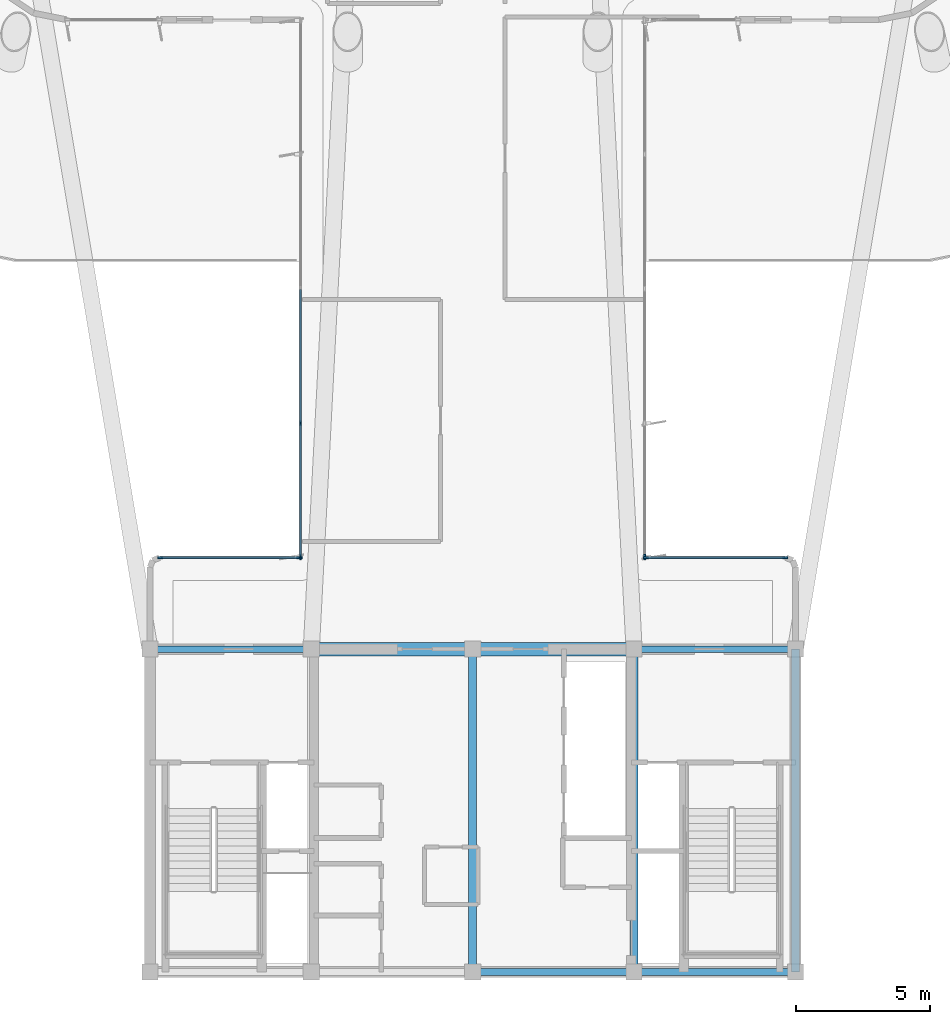
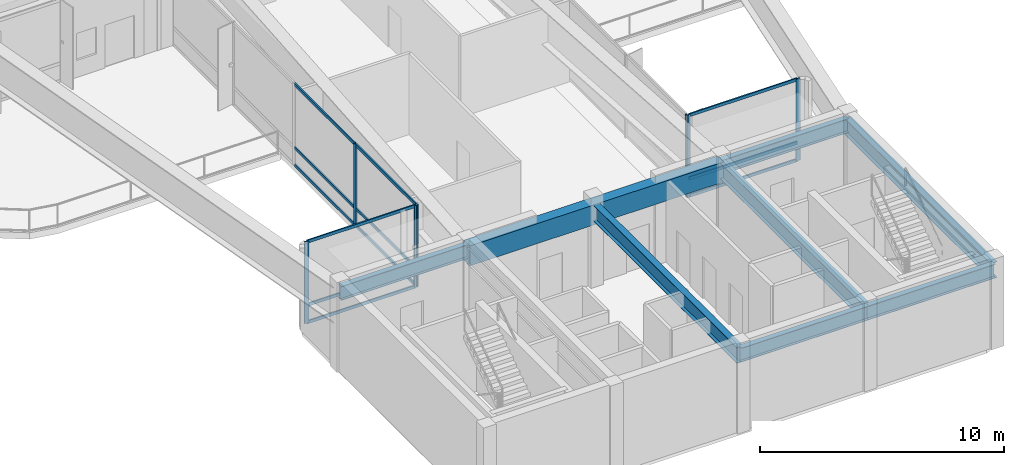
# One storey, part 2 of 16: 19 members, 8 beams, 4 elements without a shape of their own.
"""IFC4 building model written with IfcOpenShell, lengths in metres."""

import ifcopenshell
import ifcopenshell.guid

model = None  # the IFC model being written
_history = None  # IfcOwnerHistory: only IFC2X3 demands one
_inside = {}  # id of a spatial element -> (the spatial element, [elements in it])
_under = {}  # id of a project, library or spatial element -> (it, [spatial elements below it])
_declared = {}  # id of a project -> (the project, [libraries it declares])
_typed = {}  # id of a type object -> (the type object, [elements of that type])
_made_of = {}  # id of a material, layer set ... -> (it, [elements and type objects made of it])


def new_model(schema):
    """Start an empty IFC model of exactly this schema.

    Asked for "IFC4X3", IfcOpenShell would pick the latest addendum, in which some entities
    have other attributes; the version numbers below select the first issue.
    IFC2X3 requires an IfcOwnerHistory on every rooted entity: one is made here for all.
    """
    global model, _history
    if schema == "IFC4X3":
        model = ifcopenshell.file(schema_version=(4, 3, 0, 0))
    else:
        model = ifcopenshell.file(schema=schema)
    _inside.clear()
    _under.clear()
    _declared.clear()
    _typed.clear()
    _made_of.clear()
    _history = None
    if model.schema == "IFC2X3":
        org = make("IfcOrganization", Name="unknown")
        user = make(
            "IfcPersonAndOrganization",
            ThePerson=make("IfcPerson", FamilyName="unknown"),
            TheOrganization=org,
        )
        app = make(
            "IfcApplication",
            ApplicationDeveloper=org,
            Version="unknown",
            ApplicationFullName="unknown",
            ApplicationIdentifier="unknown",
        )
        _history = make(
            "IfcOwnerHistory",
            OwningUser=user,
            OwningApplication=app,
            ChangeAction="ADDED",
            CreationDate=0,
        )
    return model


def make(cls, **values):
    """One entity of the class cls with the attributes given. An attribute that is None is left unset."""
    return model.create_entity(
        cls, **{name: value for name, value in values.items() if value is not None}
    )


def rooted(cls, **values):
    """An entity with a GlobalId (a new one), such as an element, a storey or a relation."""
    return make(cls, GlobalId=ifcopenshell.guid.new(), OwnerHistory=_history, **values)


def si_unit(unit_type, name, prefix=None):
    """IfcSIUnit, for example si_unit("LENGTHUNIT", "METRE", prefix="MILLI")."""
    return make("IfcSIUnit", UnitType=unit_type, Prefix=prefix, Name=name)


def assignment(units):
    """IfcUnitAssignment: the units of a project."""
    return None if units is None else make("IfcUnitAssignment", Units=units)


def point(xyz):
    """IfcCartesianPoint."""
    return None if xyz is None else make("IfcCartesianPoint", Coordinates=xyz)


def direction(xyz):
    """IfcDirection."""
    return None if xyz is None else make("IfcDirection", DirectionRatios=xyz)


def frame(location, z_axis=None, x_axis=None):
    """IfcAxis2Placement3D, a coordinate frame: its origin and axes. An axis left out is left unset."""
    return make(
        "IfcAxis2Placement3D",
        Location=point(location),
        Axis=direction(z_axis),
        RefDirection=direction(x_axis),
    )


def frame_2d(location, x_axis=None):
    """IfcAxis2Placement2D, a coordinate frame in the plane: its origin and x axis."""
    return make(
        "IfcAxis2Placement2D", Location=point(location), RefDirection=direction(x_axis)
    )


def origin():
    """The frame at (0, 0, 0) with its axes left unset."""
    return frame((0.0, 0.0, 0.0))


def origin_2d():
    """The frame at (0, 0) in the plane with its x axis left unset."""
    return frame_2d((0.0, 0.0))


def place(relative_to, where):
    """IfcLocalPlacement: puts the frame where relative to a parent placement (None: the world)."""
    return make(
        "IfcLocalPlacement", PlacementRelTo=relative_to, RelativePlacement=where
    )


def context(
    kind, dimensions, precision=None, world=None, true_north=None, identifier=None
):
    """IfcGeometricRepresentationContext, for example the 3D "Model" context."""
    return make(
        "IfcGeometricRepresentationContext",
        ContextIdentifier=identifier,
        ContextType=kind,
        CoordinateSpaceDimension=dimensions,
        Precision=precision,
        WorldCoordinateSystem=world,
        TrueNorth=true_north,
    )


def subcontext(parent, identifier, kind, view, scale=None):
    """IfcGeometricRepresentationSubContext, for example "Body" below "Model"."""
    return make(
        "IfcGeometricRepresentationSubContext",
        ContextIdentifier=identifier,
        ContextType=kind,
        ParentContext=parent,
        TargetScale=scale,
        TargetView=view,
    )


def project(units=None, contexts=None):
    """IfcProject with its units and contexts."""
    return rooted(
        "IfcProject",
        Name="project",
        RepresentationContexts=contexts,
        UnitsInContext=assignment(units),
    )


def spatial(cls, under=None, at=None, **own):
    """A site, building, storey or space (cls), placed at a placement, below another one or the project."""
    s = rooted(cls, ObjectPlacement=at, **own)
    if under is not None:
        _under.setdefault(under.id(), (under, []))[1].append(s)
    return s


def profile(cls, at=None, kind="AREA", **sizes):
    """A parametric profile (cls). Its sizes go by their IFC names, for example OverallWidth=200.0."""
    return make(cls, ProfileType=kind, Position=at, **sizes)


def rectangle(**sizes):
    """IfcRectangleProfileDef."""
    return profile("IfcRectangleProfileDef", **sizes)


def i_section(**sizes):
    """IfcIShapeProfileDef."""
    return profile("IfcIShapeProfileDef", **sizes)


def extrude(swept, where, along, depth):
    """IfcExtrudedAreaSolid: the profile swept, set in the frame where, extruded along a direction by depth."""
    return make(
        "IfcExtrudedAreaSolid",
        SweptArea=swept,
        Position=where,
        ExtrudedDirection=direction(along),
        Depth=depth,
    )


def shape(context_of_items, identifier, shape_type, items):
    """IfcShapeRepresentation: the items that make up one representation, for example the "Body"."""
    return make(
        "IfcShapeRepresentation",
        ContextOfItems=context_of_items,
        RepresentationIdentifier=identifier,
        RepresentationType=shape_type,
        Items=items,
    )


def source(mapping_origin, context_of_items, identifier, shape_type, items):
    """IfcRepresentationMap: a shape defined once, which mapped items show again and again."""
    return make(
        "IfcRepresentationMap",
        MappingOrigin=mapping_origin,
        MappedRepresentation=shape(context_of_items, identifier, shape_type, items),
    )


def transform(
    local_origin,
    x_axis=None,
    y_axis=None,
    z_axis=None,
    scale=None,
    scale2=None,
    scale3=None,
    uniform=True,
):
    """IfcCartesianTransformationOperator3D, or its non-uniform kind. x_axis, y_axis, z_axis: its Axis1, 2, 3."""
    if uniform:
        return make(
            "IfcCartesianTransformationOperator3D",
            Axis1=direction(x_axis),
            Axis2=direction(y_axis),
            LocalOrigin=point(local_origin),
            Scale=scale,
            Axis3=direction(z_axis),
        )
    return make(
        "IfcCartesianTransformationOperator3DnonUniform",
        Axis1=direction(x_axis),
        Axis2=direction(y_axis),
        LocalOrigin=point(local_origin),
        Scale=scale,
        Axis3=direction(z_axis),
        Scale2=scale2,
        Scale3=scale3,
    )


def mapped(mapping_source, mapping_target):
    """IfcMappedItem: shows the shape of a source again, moved by a transform."""
    return make(
        "IfcMappedItem", MappingSource=mapping_source, MappingTarget=mapping_target
    )


def material(Name=None, Category=None):
    """IfcMaterial."""
    return make("IfcMaterial", Name=Name, Category=Category)


def layer(
    of_material, thickness, ventilated=None, Name=None, Category=None, Priority=None
):
    """IfcMaterialLayer: one layer of a wall or slab, of a material (None: an air gap)."""
    return make(
        "IfcMaterialLayer",
        Material=of_material,
        LayerThickness=thickness,
        IsVentilated=ventilated,
        Name=Name,
        Category=Category,
        Priority=Priority,
    )


def layer_set(layers, Name=None):
    """IfcMaterialLayerSet."""
    return make("IfcMaterialLayerSet", MaterialLayers=layers, LayerSetName=Name)


def material_profile(
    of_material, cross_section, Name=None, Category=None, Priority=None
):
    """IfcMaterialProfile: a cross section and its material."""
    return make(
        "IfcMaterialProfile",
        Name=Name,
        Material=of_material,
        Profile=cross_section,
        Priority=Priority,
        Category=Category,
    )


def profile_set(profiles, Name=None, composite=None):
    """IfcMaterialProfileSet."""
    return make(
        "IfcMaterialProfileSet",
        Name=Name,
        MaterialProfiles=profiles,
        CompositeProfile=composite,
    )


def made_of(thing, what):
    """Note that an element or type object is made of a material, layer set ...; save() writes the relation."""
    if what is not None:
        _made_of.setdefault(what.id(), (what, []))[1].append(thing)
    return thing


def type_object(cls, material=None, **own):
    """A type object (cls), such as IfcWallType, which elements share."""
    return made_of(rooted(cls, **own), material)


def element(
    cls,
    number,
    at=None,
    inside=None,
    cuts=None,
    type_object=None,
    material=None,
    context=None,
    identifier="Body",
    shape_type=None,
    held_by="IfcProductDefinitionShape",
    body=None,
    shapes=None,
    **own,
):
    """One element of the class cls, such as IfcWall. Its Tag is "e" and its number.

    at: its placement. inside: the storey or other place that contains it. cuts: it is an
    opening in that element (IfcRelVoidsElement). A single representation is given by context,
    identifier, shape_type and body (its items); several are given by shapes. held_by: the class
    of the entity that holds the representations. save() writes the other relations.
    """
    e = rooted(cls, Tag="e%d" % number, ObjectPlacement=at, **own)
    if body is not None:
        shapes = [shape(context, identifier, shape_type, body)]
    if shapes is not None:
        e.Representation = make(held_by, Representations=shapes)
    if inside is not None:
        _inside.setdefault(inside.id(), (inside, []))[1].append(e)
    if cuts is not None:
        rooted(
            "IfcRelVoidsElement", RelatingBuildingElement=cuts, RelatedOpeningElement=e
        )
    if type_object is not None:
        _typed.setdefault(type_object.id(), (type_object, []))[1].append(e)
    return made_of(e, material)


def aggregate(whole, parts):
    """IfcRelAggregates: a whole, such as a stair, and the parts it consists of."""
    return rooted("IfcRelAggregates", RelatingObject=whole, RelatedObjects=parts)


def save(model, path):
    """Write the relations noted so far, then the file.

    IfcRelAggregates (storeys below a building ...), IfcRelContainedInSpatialStructure (elements
    in a storey), IfcRelDefinesByType, IfcRelAssociatesMaterial and IfcRelDeclares: one each for
    every whole, place, type object, material and project.
    """
    for whole, parts in _under.values():
        aggregate(whole, parts)
    for where, things in _inside.values():
        rooted(
            "IfcRelContainedInSpatialStructure",
            RelatedElements=things,
            RelatingStructure=where,
        )
    for kind, things in _typed.values():
        rooted("IfcRelDefinesByType", RelatedObjects=things, RelatingType=kind)
    for what, things in _made_of.values():
        rooted("IfcRelAssociatesMaterial", RelatedObjects=things, RelatingMaterial=what)
    for by, libraries in _declared.values():
        rooted("IfcRelDeclares", RelatingContext=by, RelatedDefinitions=libraries)
    model.write(path)


model = new_model("IFC4")

# Units and contexts
model_context = context("Model", 3, precision=1e-05, world=origin(), true_north=direction((0.0, 1.0)))
body_context = subcontext(model_context, "Body", "Model", "MODEL_VIEW")
ifc_project = project(units=[si_unit("LENGTHUNIT", "METRE"), si_unit("AREAUNIT", "SQUARE_METRE"), si_unit("VOLUMEUNIT", "CUBIC_METRE"), si_unit("PLANEANGLEUNIT", "RADIAN"), si_unit("MASSUNIT", "GRAM", prefix="KILO")], contexts=[model_context])

# Site, building, storey
site_placement = place(None, origin())
site = spatial("IfcSite", under=ifc_project, at=site_placement, CompositionType="ELEMENT")
building_placement = place(site_placement, origin())
building = spatial("IfcBuilding", under=site, at=building_placement, Name="Brelvock Crest Care Tower", CompositionType="ELEMENT")
storey_placement = place(building_placement, frame((0.0, 0.0, 218.52001953125)))
storey = spatial("IfcBuildingStorey", under=building, at=storey_placement, Name="L55", CompositionType="ELEMENT", Elevation=218.52001953125)

# Beams
ifc_material_1 = material(Name="Steel Grade 350", Category="steel")
ifc_material_profile_1 = material_profile(ifc_material_1, i_section(OverallWidth=0.25, OverallDepth=0.699951171875, WebThickness=0.011962890625, FlangeThickness=0.02001953125, at=origin_2d()), Name="700WB150")
ifc_profile_set_1 = profile_set([ifc_material_profile_1], Name="Steel Grade 350")
beam_type_1 = type_object("IfcBeamType", Name="BM-G4", PredefinedType="BEAM", material=ifc_profile_set_1)
shared_shape_1 = source(origin(), body_context, "Body", "SweptSolid", [
    extrude(i_section(OverallWidth=0.25, OverallDepth=0.699951171875, WebThickness=0.011962890625, FlangeThickness=0.02001953125, at=origin_2d()), origin(), (0.0, 0.0, 1.0), 6.0),
])
for number, where, z_axis, x_axis, name in (
    (1, (24.0, 18.0, 3.741943359375), (1.0, 0.0, 0.0), (0.0, 1.0, 0.0), "BM-COREN-L55-1"),
    (2, (36.0, 6.0, 3.741943359375), (1.0, 0.0, 0.0), (0.0, 1.0, 0.0), "BM-CORES-L55-3"),
    (3, (42.0, 6.0, 3.741943359375), (1.0, 0.0, 0.0), (0.0, 1.0, 0.0), "BM-CORES-L55-4"),
    (4, (42.0, 18.0, 3.741943359375), (1.0, 0.0, 0.0), (0.0, 1.0, 0.0), "BM-COREN-L55-4"),
):
    element("IfcBeam", number, at=place(storey_placement, frame(where, z_axis=z_axis, x_axis=x_axis)), inside=storey, type_object=beam_type_1, Name=name, PredefinedType="BEAM", context=body_context, shape_type="MappedRepresentation", body=[
        mapped(shared_shape_1, transform((0.0, 0.0, 0.0), x_axis=(1.0, 0.0, 0.0), y_axis=(0.0, 1.0, 0.0), z_axis=(0.0, 0.0, 1.0), scale=1.0)),
    ])
ifc_material_profile_2 = material_profile(ifc_material_1, i_section(OverallWidth=0.300048828125, OverallDepth=0.800048828125, WebThickness=0.013916015625, FlangeThickness=0.02197265625, at=origin_2d()), Name="800WB192")
ifc_profile_set_2 = profile_set([ifc_material_profile_2], Name="Steel Grade 350")
beam_type_2 = type_object("IfcBeamType", Name="BM-G5", PredefinedType="BEAM", material=ifc_profile_set_2)
shared_shape_2 = source(origin(), body_context, "Body", "SweptSolid", [
    extrude(i_section(OverallWidth=0.300048828125, OverallDepth=0.800048828125, WebThickness=0.013916015625, FlangeThickness=0.02197265625, at=origin_2d()), origin(), (0.0, 0.0, 1.0), 12.0),
])
for number, where, z_axis, x_axis, name in (
    (5, (36.0, 6.0, 3.69189453125), (0.0, 1.0, 0.0), (-1.0, 0.0, 0.0), "BM-COREX-L55-3"),
    (6, (42.0, 6.0, 3.69189453125), (0.0, 1.0, 0.0), (-1.0, 0.0, 0.0), "BM-COREX-L55-4"),
    (7, (48.0, 6.0, 3.69189453125), (0.0, 1.0, 0.0), (-1.0, 0.0, 0.0), "BM-COREX-L55-5"),
):
    element("IfcBeam", number, at=place(storey_placement, frame(where, z_axis=z_axis, x_axis=x_axis)), inside=storey, type_object=beam_type_2, Name=name, PredefinedType="BEAM", context=body_context, shape_type="MappedRepresentation", body=[
        mapped(shared_shape_2, transform((0.0, 0.0, 0.0), x_axis=(1.0, 0.0, 0.0), y_axis=(0.0, 1.0, 0.0), z_axis=(0.0, 0.0, 1.0), scale=1.0)),
    ])
ifc_material_2 = material(Name="Concrete S65 (65 MPa)", Category="concrete")
ifc_material_profile_3 = material_profile(ifc_material_2, rectangle(XDim=0.5, YDim=1.0, at=origin_2d()), Name="RC500x1000")
ifc_profile_set_3 = profile_set([ifc_material_profile_3], Name="Concrete S65 (65 MPa)")
beam_type_3 = type_object("IfcBeamType", Name="BM-LN2", PredefinedType="LINTEL", material=ifc_profile_set_3)
shared_shape_3 = source(origin(), body_context, "Body", "SweptSolid", [
    extrude(rectangle(XDim=0.5, YDim=1.0, at=origin_2d()), origin(), (0.0, 0.0, 1.0), 12.0),
])
beam_placement = place(storey_placement, frame((30.0, 18.0, 3.592041015625), z_axis=(1.0, 0.0, 0.0), x_axis=(0.0, 1.0, 0.0)))
element("IfcBeam", 8, at=beam_placement, inside=storey, type_object=beam_type_3, Name="L55 Core Coupling Lintel Beam", PredefinedType="LINTEL", context=body_context, shape_type="MappedRepresentation", body=[
    mapped(shared_shape_3, transform((0.0, 0.0, 0.0), x_axis=(1.0, 0.0, 0.0), y_axis=(0.0, 1.0, 0.0), z_axis=(0.0, 0.0, 1.0), scale=1.0)),
])

# Curtain wall, members
ifc_material_3 = material(Name="Dark Glass Double Glazed Low-E", Category="glass")
ifc_layer = layer(ifc_material_3, 0.2548828125, Name="CWS-6")
ifc_layer_set = layer_set([ifc_layer], Name="Dark Glass Double Glazed Low-E")
curtain_wall_type = type_object("IfcCurtainWallType", Name="CWS-6", PredefinedType="NOTDEFINED", material=ifc_layer_set)
curtain_wall_1_placement = place(storey_placement, origin())
curtain_wall_1 = element("IfcCurtainWall", 9, at=curtain_wall_1_placement, inside=storey, type_object=curtain_wall_type, Name="L55 Curtain Wall E10", PredefinedType="NOTDEFINED")
ifc_material_4 = material(Name="Aluminium 6063-T6", Category="aluminium")
ifc_material_profile_4 = material_profile(ifc_material_4, rectangle(XDim=0.06494140625, YDim=0.199951171875, at=origin_2d()), Name="ALU65x200")
ifc_profile_set_4 = profile_set([ifc_material_profile_4], Name="Aluminium 6063-T6")
member_type_1 = type_object("IfcMemberType", Name="CWM-1", PredefinedType="MULLION", material=ifc_profile_set_4)
shared_shape_4 = source(origin(), body_context, "Body", "SweptSolid", [
    extrude(rectangle(XDim=0.06494140625, YDim=0.199951171875, at=origin_2d()), origin(), (0.0, 0.0, 1.0), 4.092041015625),
])
member_1_placement = place(storey_placement, frame((24.382568359375, 21.39990234375, 0.0), z_axis=(0.0, 0.0, 1.0), x_axis=(0.0, 1.0, 0.0)))
member_1 = element("IfcMember", 10, at=member_1_placement, type_object=member_type_1, Name="CW-6 mullion 1", PredefinedType="MULLION", context=body_context, shape_type="MappedRepresentation", body=[
    mapped(shared_shape_4, transform((0.0, 0.0, 0.0), x_axis=(1.0, 0.0, 0.0), y_axis=(0.0, 1.0, 0.0), z_axis=(0.0, 0.0, 1.0), scale=1.0)),
])
member_2_placement = place(storey_placement, frame((29.5673828125, 21.39990234375, 0.0), z_axis=(0.0, 0.0, 1.0), x_axis=(0.0, 1.0, 0.0)))
member_2 = element("IfcMember", 11, at=member_2_placement, type_object=member_type_1, Name="CW-6 mullion 2", PredefinedType="MULLION", context=body_context, shape_type="MappedRepresentation", body=[
    mapped(shared_shape_4, transform((0.0, 0.0, 0.0), x_axis=(1.0, 0.0, 0.0), y_axis=(0.0, 1.0, 0.0), z_axis=(0.0, 0.0, 1.0), scale=1.0)),
])

curtain_wall_2_placement = place(storey_placement, origin())
curtain_wall_2 = element("IfcCurtainWall", 12, at=curtain_wall_2_placement, inside=storey, type_object=curtain_wall_type, Name="L55 Curtain Wall E11", PredefinedType="NOTDEFINED")
member_3_placement = place(storey_placement, frame((29.60009765625, 21.4326171875, 0.0), z_axis=(0.0, 0.0, 1.0), x_axis=(-1.0, 0.0, 0.0)))
member_3 = element("IfcMember", 13, at=member_3_placement, type_object=member_type_1, Name="CW-6 mullion 1", PredefinedType="MULLION", context=body_context, shape_type="MappedRepresentation", body=[
    mapped(shared_shape_4, transform((0.0, 0.0, 0.0), x_axis=(1.0, 0.0, 0.0), y_axis=(0.0, 1.0, 0.0), z_axis=(0.0, 0.0, 1.0), scale=1.0)),
])
member_4_placement = place(storey_placement, frame((29.60009765625, 26.39990234375, 0.0), z_axis=(0.0, 0.0, 1.0), x_axis=(-1.0, 0.0, 0.0)))
member_4 = element("IfcMember", 14, at=member_4_placement, type_object=member_type_1, Name="CW-6 mullion 2", PredefinedType="MULLION", context=body_context, shape_type="MappedRepresentation", body=[
    mapped(shared_shape_4, transform((0.0, 0.0, 0.0), x_axis=(1.0, 0.0, 0.0), y_axis=(0.0, 1.0, 0.0), z_axis=(0.0, 0.0, 1.0), scale=1.0)),
])

# Curtain wall, member
curtain_wall_3_placement = place(storey_placement, origin())
curtain_wall_3 = element("IfcCurtainWall", 15, at=curtain_wall_3_placement, inside=storey, type_object=curtain_wall_type, Name="L55 Curtain Wall E45", PredefinedType="NOTDEFINED")
member_5_placement = place(storey_placement, frame((42.39990234375, 21.4326171875, 0.0), z_axis=(0.0, 0.0, 1.0), x_axis=(1.0, 0.0, 0.0)))
member_5 = element("IfcMember", 16, at=member_5_placement, type_object=member_type_1, Name="CW-6 mullion 5", PredefinedType="MULLION", context=body_context, shape_type="MappedRepresentation", body=[
    mapped(shared_shape_4, transform((0.0, 0.0, 0.0), x_axis=(1.0, 0.0, 0.0), y_axis=(0.0, 1.0, 0.0), z_axis=(0.0, 0.0, 1.0), scale=1.0)),
])
aggregate(curtain_wall_3, [member_5])

# Curtain wall, members
curtain_wall_4_placement = place(storey_placement, origin())
curtain_wall_4 = element("IfcCurtainWall", 17, at=curtain_wall_4_placement, inside=storey, type_object=curtain_wall_type, Name="L55 Curtain Wall E46", PredefinedType="NOTDEFINED")
member_6_placement = place(storey_placement, frame((42.4326171875, 21.39990234375, 0.0), z_axis=(0.0, 0.0, 1.0), x_axis=(0.0, 1.0, 0.0)))
member_6 = element("IfcMember", 18, at=member_6_placement, type_object=member_type_1, Name="CW-6 mullion 1", PredefinedType="MULLION", context=body_context, shape_type="MappedRepresentation", body=[
    mapped(shared_shape_4, transform((0.0, 0.0, 0.0), x_axis=(1.0, 0.0, 0.0), y_axis=(0.0, 1.0, 0.0), z_axis=(0.0, 0.0, 1.0), scale=1.0)),
])
member_7_placement = place(storey_placement, frame((47.617431640625, 21.39990234375, 0.0), z_axis=(0.0, 0.0, 1.0), x_axis=(0.0, 1.0, 0.0)))
member_7 = element("IfcMember", 19, at=member_7_placement, type_object=member_type_1, Name="CW-6 mullion 2", PredefinedType="MULLION", context=body_context, shape_type="MappedRepresentation", body=[
    mapped(shared_shape_4, transform((0.0, 0.0, 0.0), x_axis=(1.0, 0.0, 0.0), y_axis=(0.0, 1.0, 0.0), z_axis=(0.0, 0.0, 1.0), scale=1.0)),
])

# Member
ifc_material_profile_5 = material_profile(ifc_material_4, rectangle(XDim=0.06494140625, YDim=0.14990234375, at=origin_2d()), Name="ALU65x150")
ifc_profile_set_5 = profile_set([ifc_material_profile_5], Name="Aluminium 6063-T6")
member_type_2 = type_object("IfcMemberType", Name="CWT-1", PredefinedType="USERDEFINED", material=ifc_profile_set_5)
shared_shape_5 = source(origin(), body_context, "Body", "SweptSolid", [
    extrude(rectangle(XDim=0.06494140625, YDim=0.14990234375, at=origin_2d()), origin(), (0.0, 0.0, 1.0), 5.119873046875),
])
member_8_placement = place(storey_placement, frame((24.4150390625, 21.39990234375, 0.032470703125), z_axis=(1.0, 0.0, 0.0), x_axis=(0.0, 1.0, 0.0)))
member_8 = element("IfcMember", 20, at=member_8_placement, type_object=member_type_2, Name="CW-6 transom 1.1", ObjectType="TRANSOM", PredefinedType="USERDEFINED", context=body_context, shape_type="MappedRepresentation", body=[
    mapped(shared_shape_5, transform((0.0, 0.0, 0.0), x_axis=(1.0, 0.0, 0.0), y_axis=(0.0, 1.0, 0.0), z_axis=(0.0, 0.0, 1.0), scale=1.0)),
])

member_9_placement = place(storey_placement, frame((24.4150390625, 21.39990234375, 0.89990234375), z_axis=(1.0, 0.0, 0.0), x_axis=(0.0, 1.0, 0.0)))
member_9 = element("IfcMember", 21, at=member_9_placement, type_object=member_type_2, Name="CW-6 transom 1.2", ObjectType="TRANSOM", PredefinedType="USERDEFINED", context=body_context, shape_type="MappedRepresentation", body=[
    mapped(shared_shape_5, transform((0.0, 0.0, 0.0), x_axis=(1.0, 0.0, 0.0), y_axis=(0.0, 1.0, 0.0), z_axis=(0.0, 0.0, 1.0), scale=1.0)),
])

member_10_placement = place(storey_placement, frame((24.4150390625, 21.39990234375, 4.0595703125), z_axis=(1.0, 0.0, 0.0), x_axis=(0.0, 1.0, 0.0)))
member_10 = element("IfcMember", 22, at=member_10_placement, type_object=member_type_2, Name="CW-6 transom 1.3", ObjectType="TRANSOM", PredefinedType="USERDEFINED", context=body_context, shape_type="MappedRepresentation", body=[
    mapped(shared_shape_5, transform((0.0, 0.0, 0.0), x_axis=(1.0, 0.0, 0.0), y_axis=(0.0, 1.0, 0.0), z_axis=(0.0, 0.0, 1.0), scale=1.0)),
])

aggregate(curtain_wall_1, [member_1, member_2, member_8, member_9, member_10])

member_11_placement = place(storey_placement, frame((42.465087890625, 21.39990234375, 0.032470703125), z_axis=(1.0, 0.0, 0.0), x_axis=(0.0, 1.0, 0.0)))
member_11 = element("IfcMember", 23, at=member_11_placement, type_object=member_type_2, Name="CW-6 transom 1.1", ObjectType="TRANSOM", PredefinedType="USERDEFINED", context=body_context, shape_type="MappedRepresentation", body=[
    mapped(shared_shape_5, transform((0.0, 0.0, 0.0), x_axis=(1.0, 0.0, 0.0), y_axis=(0.0, 1.0, 0.0), z_axis=(0.0, 0.0, 1.0), scale=1.0)),
])

member_12_placement = place(storey_placement, frame((42.465087890625, 21.39990234375, 0.89990234375), z_axis=(1.0, 0.0, 0.0), x_axis=(0.0, 1.0, 0.0)))
member_12 = element("IfcMember", 24, at=member_12_placement, type_object=member_type_2, Name="CW-6 transom 1.2", ObjectType="TRANSOM", PredefinedType="USERDEFINED", context=body_context, shape_type="MappedRepresentation", body=[
    mapped(shared_shape_5, transform((0.0, 0.0, 0.0), x_axis=(1.0, 0.0, 0.0), y_axis=(0.0, 1.0, 0.0), z_axis=(0.0, 0.0, 1.0), scale=1.0)),
])

member_13_placement = place(storey_placement, frame((42.465087890625, 21.39990234375, 4.0595703125), z_axis=(1.0, 0.0, 0.0), x_axis=(0.0, 1.0, 0.0)))
member_13 = element("IfcMember", 25, at=member_13_placement, type_object=member_type_2, Name="CW-6 transom 1.3", ObjectType="TRANSOM", PredefinedType="USERDEFINED", context=body_context, shape_type="MappedRepresentation", body=[
    mapped(shared_shape_5, transform((0.0, 0.0, 0.0), x_axis=(1.0, 0.0, 0.0), y_axis=(0.0, 1.0, 0.0), z_axis=(0.0, 0.0, 1.0), scale=1.0)),
])

aggregate(curtain_wall_4, [member_6, member_7, member_11, member_12, member_13])

shared_shape_6 = source(origin(), body_context, "Body", "SweptSolid", [
    extrude(rectangle(XDim=0.06494140625, YDim=0.14990234375, at=origin_2d()), origin(), (0.0, 0.0, 1.0), 4.90234375),
])
member_14_placement = place(storey_placement, frame((29.60009765625, 21.465087890625, 0.032470703125), z_axis=(0.0, 1.0, 0.0), x_axis=(-1.0, 0.0, 0.0)))
member_14 = element("IfcMember", 26, at=member_14_placement, type_object=member_type_2, Name="CW-6 transom 1.1", ObjectType="TRANSOM", PredefinedType="USERDEFINED", context=body_context, shape_type="MappedRepresentation", body=[
    mapped(shared_shape_6, transform((0.0, 0.0, 0.0), x_axis=(1.0, 0.0, 0.0), y_axis=(0.0, 1.0, 0.0), z_axis=(0.0, 0.0, 1.0), scale=1.0)),
])

member_15_placement = place(storey_placement, frame((29.60009765625, 21.465087890625, 0.89990234375), z_axis=(0.0, 1.0, 0.0), x_axis=(-1.0, 0.0, 0.0)))
member_15 = element("IfcMember", 27, at=member_15_placement, type_object=member_type_2, Name="CW-6 transom 1.2", ObjectType="TRANSOM", PredefinedType="USERDEFINED", context=body_context, shape_type="MappedRepresentation", body=[
    mapped(shared_shape_6, transform((0.0, 0.0, 0.0), x_axis=(1.0, 0.0, 0.0), y_axis=(0.0, 1.0, 0.0), z_axis=(0.0, 0.0, 1.0), scale=1.0)),
])

member_16_placement = place(storey_placement, frame((29.60009765625, 21.465087890625, 4.0595703125), z_axis=(0.0, 1.0, 0.0), x_axis=(-1.0, 0.0, 0.0)))
member_16 = element("IfcMember", 28, at=member_16_placement, type_object=member_type_2, Name="CW-6 transom 1.3", ObjectType="TRANSOM", PredefinedType="USERDEFINED", context=body_context, shape_type="MappedRepresentation", body=[
    mapped(shared_shape_6, transform((0.0, 0.0, 0.0), x_axis=(1.0, 0.0, 0.0), y_axis=(0.0, 1.0, 0.0), z_axis=(0.0, 0.0, 1.0), scale=1.0)),
])

shared_shape_7 = source(origin(), body_context, "Body", "SweptSolid", [
    extrude(rectangle(XDim=0.06494140625, YDim=0.14990234375, at=origin_2d()), origin(), (0.0, 0.0, 1.0), 4.934814453125),
])
member_17_placement = place(storey_placement, frame((29.60009765625, 26.4326171875, 0.032470703125), z_axis=(0.0, 1.0, 0.0), x_axis=(-1.0, 0.0, 0.0)))
member_17 = element("IfcMember", 29, at=member_17_placement, type_object=member_type_2, Name="CW-6 transom 2.1", ObjectType="TRANSOM", PredefinedType="USERDEFINED", context=body_context, shape_type="MappedRepresentation", body=[
    mapped(shared_shape_7, transform((0.0, 0.0, 0.0), x_axis=(1.0, 0.0, 0.0), y_axis=(0.0, 1.0, 0.0), z_axis=(0.0, 0.0, 1.0), scale=1.0)),
])

member_18_placement = place(storey_placement, frame((29.60009765625, 26.4326171875, 0.89990234375), z_axis=(0.0, 1.0, 0.0), x_axis=(-1.0, 0.0, 0.0)))
member_18 = element("IfcMember", 30, at=member_18_placement, type_object=member_type_2, Name="CW-6 transom 2.2", ObjectType="TRANSOM", PredefinedType="USERDEFINED", context=body_context, shape_type="MappedRepresentation", body=[
    mapped(shared_shape_7, transform((0.0, 0.0, 0.0), x_axis=(1.0, 0.0, 0.0), y_axis=(0.0, 1.0, 0.0), z_axis=(0.0, 0.0, 1.0), scale=1.0)),
])

member_19_placement = place(storey_placement, frame((29.60009765625, 26.4326171875, 4.0595703125), z_axis=(0.0, 1.0, 0.0), x_axis=(-1.0, 0.0, 0.0)))
member_19 = element("IfcMember", 31, at=member_19_placement, type_object=member_type_2, Name="CW-6 transom 2.3", ObjectType="TRANSOM", PredefinedType="USERDEFINED", context=body_context, shape_type="MappedRepresentation", body=[
    mapped(shared_shape_7, transform((0.0, 0.0, 0.0), x_axis=(1.0, 0.0, 0.0), y_axis=(0.0, 1.0, 0.0), z_axis=(0.0, 0.0, 1.0), scale=1.0)),
])

aggregate(curtain_wall_2, [member_3, member_4, member_14, member_15, member_16, member_17, member_18, member_19])

save(model, "model.ifc")
